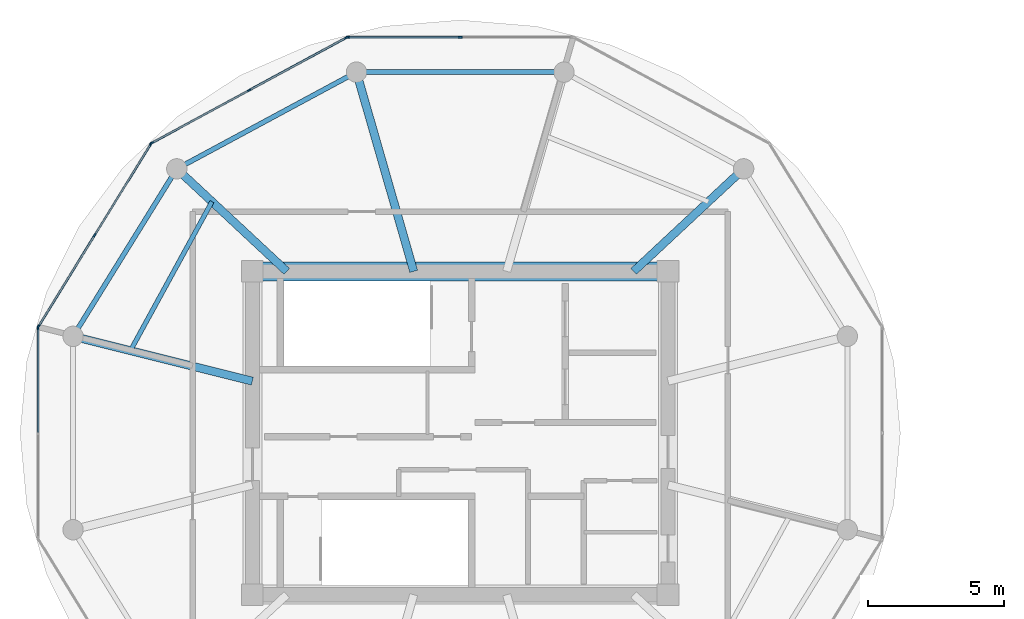
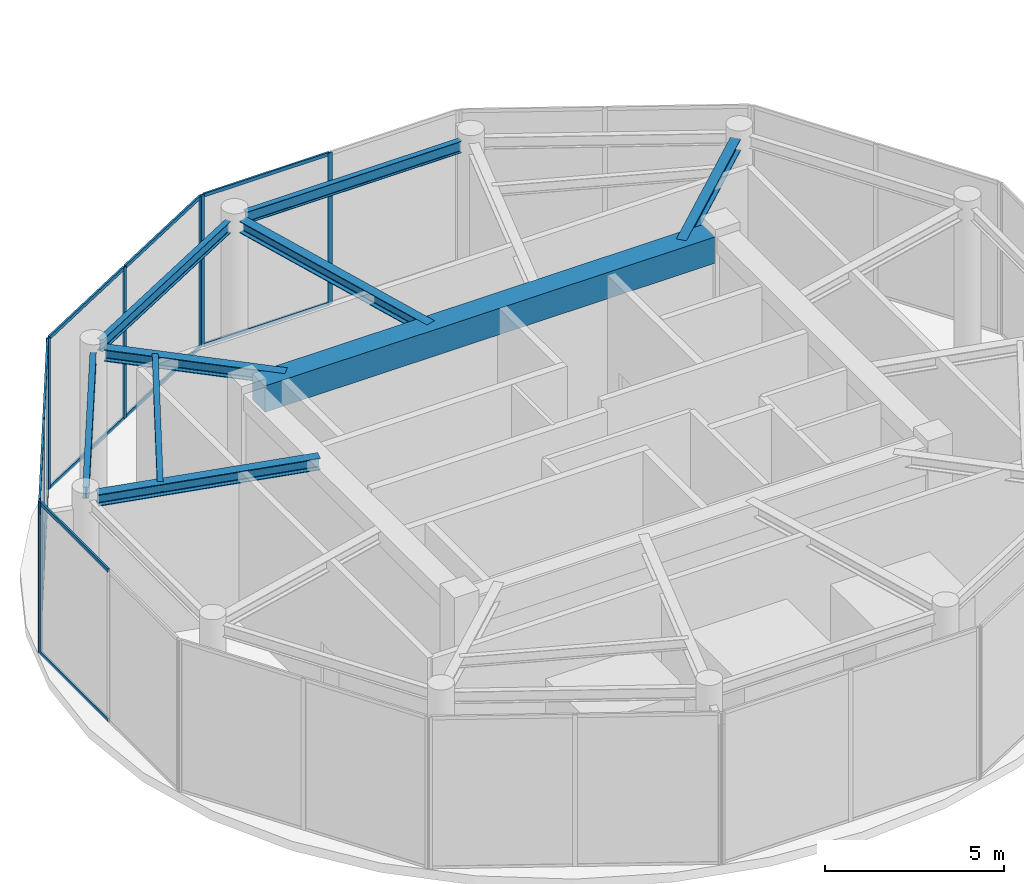
# One storey, part 4 of 15: 21 members, 9 beams, 4 elements without a shape of their own.
"""IFC4 building model written with IfcOpenShell, lengths in metres."""

from ifc_helpers import new_model, si_unit, direction, frame, origin, origin_2d, place, context, subcontext, project, spatial, rectangle, i_section, extrude, source, transform, mapped, material, layer, layer_set, material_profile, profile_set, type_object, type_shapes, element, aggregate, save


model = new_model("IFC4")

# Units and contexts
model_context = context("Model", 3, precision=1e-05, world=origin(), true_north=direction((0.0, 1.0)))
body_context = subcontext(model_context, "Body", "Model", "MODEL_VIEW")
ifc_project = project(units=[si_unit("LENGTHUNIT", "METRE"), si_unit("AREAUNIT", "SQUARE_METRE"), si_unit("VOLUMEUNIT", "CUBIC_METRE"), si_unit("PLANEANGLEUNIT", "RADIAN"), si_unit("MASSUNIT", "GRAM", prefix="KILO")], contexts=[model_context])

# Site, building, storey
site_placement = place(None, origin())
site = spatial("IfcSite", under=ifc_project, at=site_placement, CompositionType="ELEMENT")
building_placement = place(site_placement, origin())
building = spatial("IfcBuilding", under=site, at=building_placement, Name="Norrkilde Senior Care Towers", CompositionType="ELEMENT")
storey_placement = place(building_placement, frame((0.0, 0.0, 244.39990234375)))
storey = spatial("IfcBuildingStorey", under=building, at=storey_placement, Name="L76", CompositionType="ELEMENT", Elevation=244.39990234375)

# Beams
ifc_material_1 = material(Name="Concrete C60/75", Category="concrete")
ifc_material_profile_1 = material_profile(ifc_material_1, rectangle(XDim=0.699951171875, YDim=0.89990234375, at=origin_2d()), Name="RC BM 700x900")
ifc_profile_set_1 = profile_set([ifc_material_profile_1], Name="Concrete C60/75")
beam_type_1 = type_object("IfcBeamType", Name="Core Coupling Girder 700x900", PredefinedType="USERDEFINED", material=ifc_profile_set_1)
shared_shape_1 = source(origin(), body_context, "Body", "SweptSolid", [
    extrude(rectangle(XDim=0.699951171875, YDim=0.89990234375, at=origin_2d()), origin(), (0.0, 0.0, 1.0), 14.5400390625),
])
type_shapes(beam_type_1, [shared_shape_1])
beam_1_placement = place(storey_placement, frame((-35.27001953125, 5.949951171875, 4.72509765625), z_axis=(1.0, 0.0, 0.0), x_axis=(0.0, 1.0, 0.0)))
element("IfcBeam", 1, at=beam_1_placement, inside=storey, type_object=beam_type_1, Name="L76 Core W N Coupling Girder", ObjectType="GIRDER", PredefinedType="USERDEFINED", context=body_context, shape_type="MappedRepresentation", body=[
    mapped(shared_shape_1, transform((0.0, 0.0, 0.0), x_axis=(1.0, 0.0, 0.0), y_axis=(0.0, 1.0, 0.0), z_axis=(0.0, 0.0, 1.0), scale=1.0)),
])
ifc_material_2 = material(Name="Steel S355", Category="steel")
ifc_material_profile_2 = material_profile(ifc_material_2, i_section(OverallWidth=0.179931640625, OverallDepth=0.39990234375, WebThickness=0.008544921875, FlangeThickness=0.013427734375, FilletRadius=0.02099609375, at=origin_2d()), Name="IPE 400")
ifc_profile_set_2 = profile_set([ifc_material_profile_2], Name="Steel S355")
beam_type_2 = type_object("IfcBeamType", Name="Perimeter Ring Spandrel Z4 IPE400", PredefinedType="SPANDREL", material=ifc_profile_set_2)
shared_shape_2 = source(origin(), body_context, "Body", "SweptSolid", [
    extrude(i_section(OverallWidth=0.179931640625, OverallDepth=0.39990234375, WebThickness=0.008544921875, FlangeThickness=0.013427734375, FilletRadius=0.02099609375, at=origin_2d()), origin(), (0.0, 0.0, 1.0), 6.58056640625),
])
beam_2_placement = place(storey_placement, frame((-38.606201171875, 9.43798828125, 4.97509765625), z_axis=(-0.526529583789, -0.850156807533, 0.0), x_axis=(0.850156807533, -0.526529583789, 0.0)))
element("IfcBeam", 2, at=beam_2_placement, inside=storey, type_object=beam_type_2, Name="L76 Drum W Perimeter Spandrel 05", PredefinedType="SPANDREL", context=body_context, shape_type="MappedRepresentation", body=[
    mapped(shared_shape_2, transform((0.0, 0.0, 0.0), x_axis=(1.0, 0.0, 0.0), y_axis=(0.0, 1.0, 0.0), z_axis=(0.0, 0.0, 1.0), scale=1.0)),
])
ifc_material_profile_3 = material_profile(ifc_material_2, i_section(OverallWidth=0.300048828125, OverallDepth=0.39990234375, WebThickness=0.013427734375, FlangeThickness=0.02392578125, FilletRadius=0.027099609375, at=origin_2d()), Name="HEB 400")
ifc_profile_set_3 = profile_set([ifc_material_profile_3], Name="Steel S355")
beam_type_3 = type_object("IfcBeamType", Name="Radial Floor Beam Z4 HEB400", PredefinedType="BEAM", material=ifc_profile_set_3)
shared_shape_3 = source(origin(), body_context, "Body", "SweptSolid", [
    extrude(i_section(OverallWidth=0.300048828125, OverallDepth=0.39990234375, WebThickness=0.013427734375, FlangeThickness=0.02392578125, FilletRadius=0.027099609375, at=origin_2d()), origin(), (0.0, 0.0, 1.0), 6.465087890625),
])
beam_3_placement = place(storey_placement, frame((-35.64990234375, 1.910888671875, 4.97509765625), z_axis=(-0.970195788563, 0.242322371758, 0.0), x_axis=(-0.242322371758, -0.970195788563, 0.0)))
element("IfcBeam", 3, at=beam_3_placement, inside=storey, type_object=beam_type_3, Name="L76 Drum W Radial Floor Beam 06", PredefinedType="BEAM", context=body_context, shape_type="MappedRepresentation", body=[
    mapped(shared_shape_3, transform((0.0, 0.0, 0.0), x_axis=(1.0, 0.0, 0.0), y_axis=(0.0, 1.0, 0.0), z_axis=(0.0, 0.0, 1.0), scale=1.0)),
])
shared_shape_4 = source(origin(), body_context, "Body", "SweptSolid", [
    extrude(i_section(OverallWidth=0.179931640625, OverallDepth=0.39990234375, WebThickness=0.008544921875, FlangeThickness=0.013427734375, FilletRadius=0.02099609375, at=origin_2d()), origin(), (0.0, 0.0, 1.0), 6.839111328125),
])
beam_4_placement = place(storey_placement, frame((-32.112548828125, 13.122802734375, 4.97509765625), z_axis=(-0.880563930732, -0.473927382511, 0.0), x_axis=(0.473927382511, -0.880563930732, 0.0)))
element("IfcBeam", 4, at=beam_4_placement, inside=storey, type_object=beam_type_2, Name="L76 Drum W Perimeter Spandrel 04", PredefinedType="SPANDREL", context=body_context, shape_type="MappedRepresentation", body=[
    mapped(shared_shape_4, transform((0.0, 0.0, 0.0), x_axis=(1.0, 0.0, 0.0), y_axis=(0.0, 1.0, 0.0), z_axis=(0.0, 0.0, 1.0), scale=1.0)),
])
shared_shape_5 = source(origin(), body_context, "Body", "SweptSolid", [
    extrude(i_section(OverallWidth=0.300048828125, OverallDepth=0.39990234375, WebThickness=0.013427734375, FlangeThickness=0.02392578125, FilletRadius=0.027099609375, at=origin_2d()), origin(), (0.0, 0.0, 1.0), 5.197998046875),
])
for number, where, z_axis, x_axis, name in (
    (5, (-21.6171875, 5.949951171875, 4.97509765625), (0.731448749334, 0.681896419625, 0.0), (-0.681896419625, 0.731448749334, 0.0), "L76 Drum W Radial Floor Beam 02"),
    (6, (-34.3828125, 5.949951171875, 4.97509765625), (-0.731448749334, 0.681896419625, 0.0), (-0.681896419625, -0.731448749334, 0.0), "L76 Drum W Radial Floor Beam 05"),
):
    element("IfcBeam", number, at=place(storey_placement, frame(where, z_axis=z_axis, x_axis=x_axis)), inside=storey, type_object=beam_type_3, Name=name, PredefinedType="BEAM", context=body_context, shape_type="MappedRepresentation", body=[
        mapped(shared_shape_5, transform((0.0, 0.0, 0.0), x_axis=(1.0, 0.0, 0.0), y_axis=(0.0, 1.0, 0.0), z_axis=(0.0, 0.0, 1.0), scale=1.0)),
    ])
shared_shape_6 = source(origin(), body_context, "Body", "SweptSolid", [
    extrude(i_section(OverallWidth=0.179931640625, OverallDepth=0.39990234375, WebThickness=0.008544921875, FlangeThickness=0.013427734375, FilletRadius=0.02099609375, at=origin_2d()), origin(), (0.0, 0.0, 1.0), 6.96533203125),
])
type_shapes(beam_type_2, [shared_shape_2, shared_shape_4, shared_shape_6])
beam_5_placement = place(storey_placement, frame((-24.517333984375, 13.281494140625, 4.97509765625), z_axis=(-1.0, 0.0, 0.0), x_axis=(0.0, -1.0, 0.0)))
element("IfcBeam", 7, at=beam_5_placement, inside=storey, type_object=beam_type_2, Name="L76 Drum W Perimeter Spandrel 03", PredefinedType="SPANDREL", context=body_context, shape_type="MappedRepresentation", body=[
    mapped(shared_shape_6, transform((0.0, 0.0, 0.0), x_axis=(1.0, 0.0, 0.0), y_axis=(0.0, 1.0, 0.0), z_axis=(0.0, 0.0, 1.0), scale=1.0)),
])
shared_shape_7 = source(origin(), body_context, "Body", "SweptSolid", [
    extrude(i_section(OverallWidth=0.300048828125, OverallDepth=0.39990234375, WebThickness=0.013427734375, FlangeThickness=0.02392578125, FilletRadius=0.027099609375, at=origin_2d()), origin(), (0.0, 0.0, 1.0), 7.29345703125),
])
type_shapes(beam_type_3, [shared_shape_3, shared_shape_5, shared_shape_7])
beam_6_placement = place(storey_placement, frame((-29.710205078125, 5.949951171875, 4.97509765625), z_axis=(-0.276263751906, 0.961081858836, 0.0), x_axis=(-0.961081858836, -0.276263751906, 0.0)))
element("IfcBeam", 8, at=beam_6_placement, inside=storey, type_object=beam_type_3, Name="L76 Drum W Radial Floor Beam 04", PredefinedType="BEAM", context=body_context, shape_type="MappedRepresentation", body=[
    mapped(shared_shape_7, transform((0.0, 0.0, 0.0), x_axis=(1.0, 0.0, 0.0), y_axis=(0.0, 1.0, 0.0), z_axis=(0.0, 0.0, 1.0), scale=1.0)),
])
ifc_material_profile_4 = material_profile(ifc_material_2, i_section(OverallWidth=0.169921875, OverallDepth=0.360107421875, WebThickness=0.008056640625, FlangeThickness=0.0126953125, FilletRadius=0.01806640625, at=origin_2d()), Name="IPE 360")
ifc_profile_set_4 = profile_set([ifc_material_profile_4], Name="Steel S355")
beam_type_4 = type_object("IfcBeamType", Name="Secondary Floor Joist IPE360", PredefinedType="JOIST", material=ifc_profile_set_4)
shared_shape_8 = source(origin(), body_context, "Body", "SweptSolid", [
    extrude(i_section(OverallWidth=0.169921875, OverallDepth=0.360107421875, WebThickness=0.008056640625, FlangeThickness=0.0126953125, FilletRadius=0.01806640625, at=origin_2d()), origin(), (0.0, 0.0, 1.0), 6.25146484375),
])
type_shapes(beam_type_4, [shared_shape_8])
beam_7_placement = place(storey_placement, frame((-37.134765625, 8.515380859375, 4.9951171875), z_axis=(-0.480115752653, -0.877205143655, 0.0), x_axis=(0.877205143655, -0.480115752653, 0.0)))
element("IfcBeam", 9, at=beam_7_placement, inside=storey, type_object=beam_type_4, Name="L76 Drum W Secondary Floor Joist 2", PredefinedType="JOIST", context=body_context, shape_type="MappedRepresentation", body=[
    mapped(shared_shape_8, transform((0.0, 0.0, 0.0), x_axis=(1.0, 0.0, 0.0), y_axis=(0.0, 1.0, 0.0), z_axis=(0.0, 0.0, 1.0), scale=1.0)),
])

# Curtain wall, members
ifc_material_3 = material(Name="Triple Low-E Insulated Glazing", Category="glass")
ifc_layer = layer(ifc_material_3, 0.205078125)
ifc_layer_set = layer_set([ifc_layer], Name="Triple Low-E Insulated Glazing")
curtain_wall_type = type_object("IfcCurtainWallType", Name="CW7 L76 Damper Lantern Clear Curtain Wall", PredefinedType="NOTDEFINED", material=ifc_layer_set)
curtain_wall_1_placement = place(storey_placement, origin())
curtain_wall_1 = element("IfcCurtainWall", 10, at=curtain_wall_1_placement, inside=storey, type_object=curtain_wall_type, Name="L76 Drum W Curtain Wall 02", PredefinedType="NOTDEFINED")
ifc_material_4 = material(Name="Anodised Aluminium", Category="aluminium")
ifc_material_profile_5 = material_profile(ifc_material_4, rectangle(XDim=0.06005859375, YDim=0.139892578125, at=origin_2d()), Name="ALU MULL 60x140")
ifc_profile_set_5 = profile_set([ifc_material_profile_5], Name="Anodised Aluminium")
member_type_1 = type_object("IfcMemberType", Name="Curtain Wall Mullion Lantern 60x140", PredefinedType="MULLION", material=ifc_profile_set_5)
shared_shape_9 = source(origin(), body_context, "Body", "SweptSolid", [
    extrude(rectangle(XDim=0.06005859375, YDim=0.139892578125, at=origin_2d()), origin(), (0.0, 0.0, 1.0), 5.175048828125),
])
type_shapes(member_type_1, [shared_shape_9])
member_1_placement = place(storey_placement, frame((-32.1318359375, 14.566162109375, 0.0), z_axis=(0.0, 0.0, 1.0), x_axis=(0.0, 1.0, 0.0)))
member_1 = element("IfcMember", 11, at=member_1_placement, type_object=member_type_1, Name="CW-7 mullion 1", PredefinedType="MULLION", context=body_context, shape_type="MappedRepresentation", body=[
    mapped(shared_shape_9, transform((0.0, 0.0, 0.0), x_axis=(1.0, 0.0, 0.0), y_axis=(0.0, 1.0, 0.0), z_axis=(0.0, 0.0, 1.0), scale=1.0)),
])
member_2_placement = place(storey_placement, frame((-28.0, 14.566162109375, 0.0), z_axis=(0.0, 0.0, 1.0), x_axis=(0.0, 1.0, 0.0)))
member_2 = element("IfcMember", 12, at=member_2_placement, type_object=member_type_1, Name="CW-7 mullion 2", PredefinedType="MULLION", context=body_context, shape_type="MappedRepresentation", body=[
    mapped(shared_shape_9, transform((0.0, 0.0, 0.0), x_axis=(1.0, 0.0, 0.0), y_axis=(0.0, 1.0, 0.0), z_axis=(0.0, 0.0, 1.0), scale=1.0)),
])

curtain_wall_2_placement = place(storey_placement, origin())
curtain_wall_2 = element("IfcCurtainWall", 13, at=curtain_wall_2_placement, inside=storey, type_object=curtain_wall_type, Name="L76 Drum W Curtain Wall 03", PredefinedType="NOTDEFINED")
member_3_placement = place(storey_placement, frame((-39.343994140625, 10.677490234375, 0.0), z_axis=(0.0, 0.0, 1.0), x_axis=(-0.476132676136, 0.879373455772, 0.0)))
member_3 = element("IfcMember", 14, at=member_3_placement, type_object=member_type_1, Name="CW-7 mullion 1", PredefinedType="MULLION", context=body_context, shape_type="MappedRepresentation", body=[
    mapped(shared_shape_9, transform((0.0, 0.0, 0.0), x_axis=(1.0, 0.0, 0.0), y_axis=(0.0, 1.0, 0.0), z_axis=(0.0, 0.0, 1.0), scale=1.0)),
])
member_4_placement = place(storey_placement, frame((-35.76611328125, 12.61474609375, 0.0), z_axis=(0.0, 0.0, 1.0), x_axis=(-0.476132676136, 0.879373455772, 0.0)))
member_4 = element("IfcMember", 15, at=member_4_placement, type_object=member_type_1, Name="CW-7 mullion 2", PredefinedType="MULLION", context=body_context, shape_type="MappedRepresentation", body=[
    mapped(shared_shape_9, transform((0.0, 0.0, 0.0), x_axis=(1.0, 0.0, 0.0), y_axis=(0.0, 1.0, 0.0), z_axis=(0.0, 0.0, 1.0), scale=1.0)),
])
member_5_placement = place(storey_placement, frame((-32.188232421875, 14.5517578125, 0.0), z_axis=(0.0, 0.0, 1.0), x_axis=(-0.476132676136, 0.879373455772, 0.0)))
member_5 = element("IfcMember", 16, at=member_5_placement, type_object=member_type_1, Name="CW-7 mullion 3", PredefinedType="MULLION", context=body_context, shape_type="MappedRepresentation", body=[
    mapped(shared_shape_9, transform((0.0, 0.0, 0.0), x_axis=(1.0, 0.0, 0.0), y_axis=(0.0, 1.0, 0.0), z_axis=(0.0, 0.0, 1.0), scale=1.0)),
])

curtain_wall_3_placement = place(storey_placement, origin())
curtain_wall_3 = element("IfcCurtainWall", 17, at=curtain_wall_3_placement, inside=storey, type_object=curtain_wall_type, Name="L76 Drum W Curtain Wall 04", PredefinedType="NOTDEFINED")
member_6_placement = place(storey_placement, frame((-43.516357421875, 3.928466796875, 0.0), z_axis=(0.0, 0.0, 1.0), x_axis=(-0.851562727283, 0.524252726748, 0.0)))
member_6 = element("IfcMember", 18, at=member_6_placement, type_object=member_type_1, Name="CW-7 mullion 1", PredefinedType="MULLION", context=body_context, shape_type="MappedRepresentation", body=[
    mapped(shared_shape_9, transform((0.0, 0.0, 0.0), x_axis=(1.0, 0.0, 0.0), y_axis=(0.0, 1.0, 0.0), z_axis=(0.0, 0.0, 1.0), scale=1.0)),
])
member_7_placement = place(storey_placement, frame((-41.451171875, 7.282958984375, 0.0), z_axis=(0.0, 0.0, 1.0), x_axis=(-0.851562727283, 0.524252726748, 0.0)))
member_7 = element("IfcMember", 19, at=member_7_placement, type_object=member_type_1, Name="CW-7 mullion 2", PredefinedType="MULLION", context=body_context, shape_type="MappedRepresentation", body=[
    mapped(shared_shape_9, transform((0.0, 0.0, 0.0), x_axis=(1.0, 0.0, 0.0), y_axis=(0.0, 1.0, 0.0), z_axis=(0.0, 0.0, 1.0), scale=1.0)),
])
member_8_placement = place(storey_placement, frame((-39.385986328125, 10.6376953125, 0.0), z_axis=(0.0, 0.0, 1.0), x_axis=(-0.851562727283, 0.524252726748, 0.0)))
member_8 = element("IfcMember", 20, at=member_8_placement, type_object=member_type_1, Name="CW-7 mullion 3", PredefinedType="MULLION", context=body_context, shape_type="MappedRepresentation", body=[
    mapped(shared_shape_9, transform((0.0, 0.0, 0.0), x_axis=(1.0, 0.0, 0.0), y_axis=(0.0, 1.0, 0.0), z_axis=(0.0, 0.0, 1.0), scale=1.0)),
])

# Curtain wall, member
curtain_wall_4_placement = place(storey_placement, origin())
curtain_wall_4 = element("IfcCurtainWall", 21, at=curtain_wall_4_placement, inside=storey, type_object=curtain_wall_type, Name="L76 Drum W Curtain Wall 05", PredefinedType="NOTDEFINED")
member_9_placement = place(storey_placement, frame((-43.531982421875, 3.873046875, 0.0), z_axis=(0.0, 0.0, 1.0), x_axis=(-1.0, 0.0, 0.0)))
member_9 = element("IfcMember", 22, at=member_9_placement, type_object=member_type_1, Name="CW-7 mullion 3", PredefinedType="MULLION", context=body_context, shape_type="MappedRepresentation", body=[
    mapped(shared_shape_9, transform((0.0, 0.0, 0.0), x_axis=(1.0, 0.0, 0.0), y_axis=(0.0, 1.0, 0.0), z_axis=(0.0, 0.0, 1.0), scale=1.0)),
])

# Member
ifc_material_profile_6 = material_profile(ifc_material_4, rectangle(XDim=0.06005859375, YDim=0.1201171875, at=origin_2d()), Name="ALU TRAN 60x120")
ifc_profile_set_6 = profile_set([ifc_material_profile_6], Name="Anodised Aluminium")
member_type_2 = type_object("IfcMemberType", Name="Curtain Wall Transom Typical 60x120", PredefinedType="USERDEFINED", material=ifc_profile_set_6)
shared_shape_10 = source(origin(), body_context, "Body", "SweptSolid", [
    extrude(rectangle(XDim=0.06005859375, YDim=0.1201171875, at=origin_2d()), origin(), (0.0, 0.0, 1.0), 3.87939453125),
])
member_10_placement = place(storey_placement, frame((-43.500732421875, 3.9541015625, 0.030029296875), z_axis=(0.524290531189, 0.851539452348, 0.0), x_axis=(-0.851539452348, 0.524290531189, 0.0)))
member_10 = element("IfcMember", 23, at=member_10_placement, type_object=member_type_2, Name="CW-7 transom 1.1", ObjectType="TRANSOM", PredefinedType="USERDEFINED", context=body_context, shape_type="MappedRepresentation", body=[
    mapped(shared_shape_10, transform((0.0, 0.0, 0.0), x_axis=(1.0, 0.0, 0.0), y_axis=(0.0, 1.0, 0.0), z_axis=(0.0, 0.0, 1.0), scale=1.0)),
])

member_11_placement = place(storey_placement, frame((-43.500732421875, 3.9541015625, 5.14501953125), z_axis=(0.524290531189, 0.851539452348, 0.0), x_axis=(-0.851539452348, 0.524290531189, 0.0)))
member_11 = element("IfcMember", 24, at=member_11_placement, type_object=member_type_2, Name="CW-7 transom 1.2", ObjectType="TRANSOM", PredefinedType="USERDEFINED", context=body_context, shape_type="MappedRepresentation", body=[
    mapped(shared_shape_10, transform((0.0, 0.0, 0.0), x_axis=(1.0, 0.0, 0.0), y_axis=(0.0, 1.0, 0.0), z_axis=(0.0, 0.0, 1.0), scale=1.0)),
])

member_12_placement = place(storey_placement, frame((-41.435546875, 7.30859375, 0.030029296875), z_axis=(0.524290531189, 0.851539452348, 0.0), x_axis=(-0.851539452348, 0.524290531189, 0.0)))
member_12 = element("IfcMember", 25, at=member_12_placement, type_object=member_type_2, Name="CW-7 transom 2.1", ObjectType="TRANSOM", PredefinedType="USERDEFINED", context=body_context, shape_type="MappedRepresentation", body=[
    mapped(shared_shape_10, transform((0.0, 0.0, 0.0), x_axis=(1.0, 0.0, 0.0), y_axis=(0.0, 1.0, 0.0), z_axis=(0.0, 0.0, 1.0), scale=1.0)),
])

member_13_placement = place(storey_placement, frame((-41.435546875, 7.30859375, 5.14501953125), z_axis=(0.524290531189, 0.851539452348, 0.0), x_axis=(-0.851539452348, 0.524290531189, 0.0)))
member_13 = element("IfcMember", 26, at=member_13_placement, type_object=member_type_2, Name="CW-7 transom 2.2", ObjectType="TRANSOM", PredefinedType="USERDEFINED", context=body_context, shape_type="MappedRepresentation", body=[
    mapped(shared_shape_10, transform((0.0, 0.0, 0.0), x_axis=(1.0, 0.0, 0.0), y_axis=(0.0, 1.0, 0.0), z_axis=(0.0, 0.0, 1.0), scale=1.0)),
])

aggregate(curtain_wall_3, [member_6, member_7, member_8, member_10, member_11, member_12, member_13])

shared_shape_11 = source(origin(), body_context, "Body", "SweptSolid", [
    extrude(rectangle(XDim=0.06005859375, YDim=0.1201171875, at=origin_2d()), origin(), (0.0, 0.0, 1.0), 4.0087890625),
])
member_14_placement = place(storey_placement, frame((-39.317626953125, 10.691650390625, 0.030029296875), z_axis=(0.87937165888, 0.476135994815, 0.0), x_axis=(-0.476135994815, 0.87937165888, 0.0)))
member_14 = element("IfcMember", 27, at=member_14_placement, type_object=member_type_2, Name="CW-7 transom 1.1", ObjectType="TRANSOM", PredefinedType="USERDEFINED", context=body_context, shape_type="MappedRepresentation", body=[
    mapped(shared_shape_11, transform((0.0, 0.0, 0.0), x_axis=(1.0, 0.0, 0.0), y_axis=(0.0, 1.0, 0.0), z_axis=(0.0, 0.0, 1.0), scale=1.0)),
])

member_15_placement = place(storey_placement, frame((-39.317626953125, 10.691650390625, 5.14501953125), z_axis=(0.87937165888, 0.476135994815, 0.0), x_axis=(-0.476135994815, 0.87937165888, 0.0)))
member_15 = element("IfcMember", 28, at=member_15_placement, type_object=member_type_2, Name="CW-7 transom 1.2", ObjectType="TRANSOM", PredefinedType="USERDEFINED", context=body_context, shape_type="MappedRepresentation", body=[
    mapped(shared_shape_11, transform((0.0, 0.0, 0.0), x_axis=(1.0, 0.0, 0.0), y_axis=(0.0, 1.0, 0.0), z_axis=(0.0, 0.0, 1.0), scale=1.0)),
])

member_16_placement = place(storey_placement, frame((-35.73974609375, 12.62890625, 0.030029296875), z_axis=(0.87937165888, 0.476135994815, 0.0), x_axis=(-0.476135994815, 0.87937165888, 0.0)))
member_16 = element("IfcMember", 29, at=member_16_placement, type_object=member_type_2, Name="CW-7 transom 2.1", ObjectType="TRANSOM", PredefinedType="USERDEFINED", context=body_context, shape_type="MappedRepresentation", body=[
    mapped(shared_shape_11, transform((0.0, 0.0, 0.0), x_axis=(1.0, 0.0, 0.0), y_axis=(0.0, 1.0, 0.0), z_axis=(0.0, 0.0, 1.0), scale=1.0)),
])

member_17_placement = place(storey_placement, frame((-35.73974609375, 12.62890625, 5.14501953125), z_axis=(0.87937165888, 0.476135994815, 0.0), x_axis=(-0.476135994815, 0.87937165888, 0.0)))
member_17 = element("IfcMember", 30, at=member_17_placement, type_object=member_type_2, Name="CW-7 transom 2.2", ObjectType="TRANSOM", PredefinedType="USERDEFINED", context=body_context, shape_type="MappedRepresentation", body=[
    mapped(shared_shape_11, transform((0.0, 0.0, 0.0), x_axis=(1.0, 0.0, 0.0), y_axis=(0.0, 1.0, 0.0), z_axis=(0.0, 0.0, 1.0), scale=1.0)),
])

aggregate(curtain_wall_2, [member_3, member_4, member_5, member_14, member_15, member_16, member_17])

shared_shape_12 = source(origin(), body_context, "Body", "SweptSolid", [
    extrude(rectangle(XDim=0.06005859375, YDim=0.1201171875, at=origin_2d()), origin(), (0.0, 0.0, 1.0), 4.07177734375),
])
member_18_placement = place(storey_placement, frame((-32.101806640625, 14.566162109375, 0.030029296875), z_axis=(1.0, 0.0, 0.0), x_axis=(0.0, 1.0, 0.0)))
member_18 = element("IfcMember", 31, at=member_18_placement, type_object=member_type_2, Name="CW-7 transom 1.1", ObjectType="TRANSOM", PredefinedType="USERDEFINED", context=body_context, shape_type="MappedRepresentation", body=[
    mapped(shared_shape_12, transform((0.0, 0.0, 0.0), x_axis=(1.0, 0.0, 0.0), y_axis=(0.0, 1.0, 0.0), z_axis=(0.0, 0.0, 1.0), scale=1.0)),
])

member_19_placement = place(storey_placement, frame((-32.101806640625, 14.566162109375, 5.14501953125), z_axis=(1.0, 0.0, 0.0), x_axis=(0.0, 1.0, 0.0)))
member_19 = element("IfcMember", 32, at=member_19_placement, type_object=member_type_2, Name="CW-7 transom 1.2", ObjectType="TRANSOM", PredefinedType="USERDEFINED", context=body_context, shape_type="MappedRepresentation", body=[
    mapped(shared_shape_12, transform((0.0, 0.0, 0.0), x_axis=(1.0, 0.0, 0.0), y_axis=(0.0, 1.0, 0.0), z_axis=(0.0, 0.0, 1.0), scale=1.0)),
])

aggregate(curtain_wall_1, [member_1, member_2, member_18, member_19])

shared_shape_13 = source(origin(), body_context, "Body", "SweptSolid", [
    extrude(rectangle(XDim=0.06005859375, YDim=0.1201171875, at=origin_2d()), origin(), (0.0, 0.0, 1.0), 3.81298828125),
])
type_shapes(member_type_2, [shared_shape_10, shared_shape_11, shared_shape_12, shared_shape_13])
member_20_placement = place(storey_placement, frame((-43.531982421875, 0.030029296875, 0.030029296875), z_axis=(0.0, 1.0, 0.0), x_axis=(-1.0, 0.0, 0.0)))
member_20 = element("IfcMember", 33, at=member_20_placement, type_object=member_type_2, Name="CW-7 transom 2.1", ObjectType="TRANSOM", PredefinedType="USERDEFINED", context=body_context, shape_type="MappedRepresentation", body=[
    mapped(shared_shape_13, transform((0.0, 0.0, 0.0), x_axis=(1.0, 0.0, 0.0), y_axis=(0.0, 1.0, 0.0), z_axis=(0.0, 0.0, 1.0), scale=1.0)),
])

member_21_placement = place(storey_placement, frame((-43.531982421875, 0.030029296875, 5.14501953125), z_axis=(0.0, 1.0, 0.0), x_axis=(-1.0, 0.0, 0.0)))
member_21 = element("IfcMember", 34, at=member_21_placement, type_object=member_type_2, Name="CW-7 transom 2.2", ObjectType="TRANSOM", PredefinedType="USERDEFINED", context=body_context, shape_type="MappedRepresentation", body=[
    mapped(shared_shape_13, transform((0.0, 0.0, 0.0), x_axis=(1.0, 0.0, 0.0), y_axis=(0.0, 1.0, 0.0), z_axis=(0.0, 0.0, 1.0), scale=1.0)),
])

aggregate(curtain_wall_4, [member_9, member_20, member_21])

save(model, "model.ifc")
